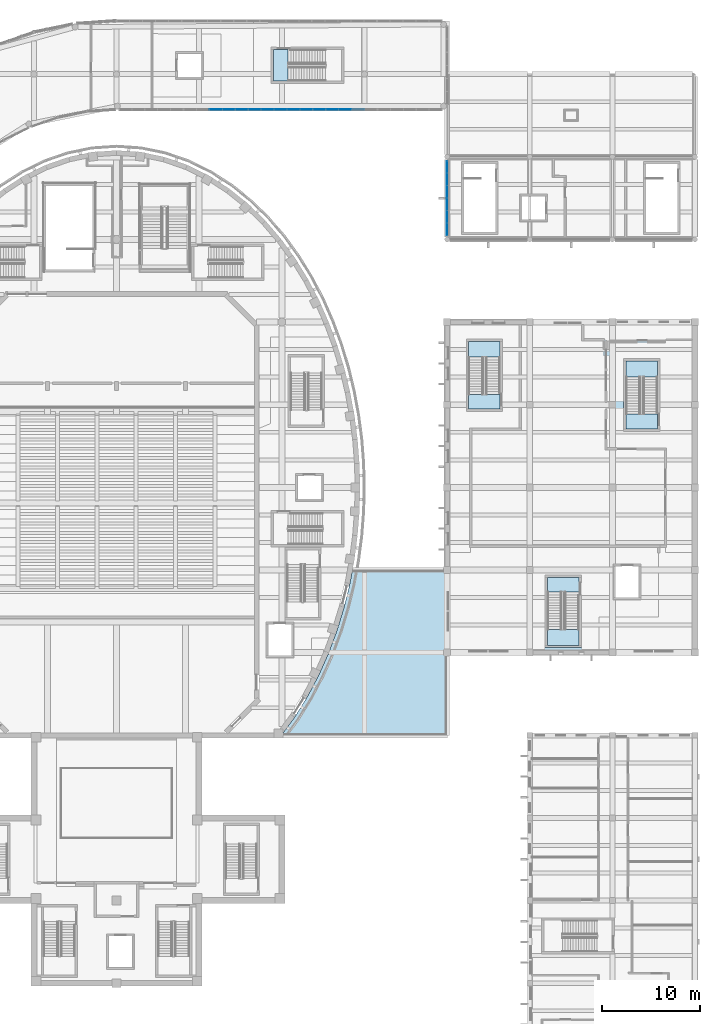
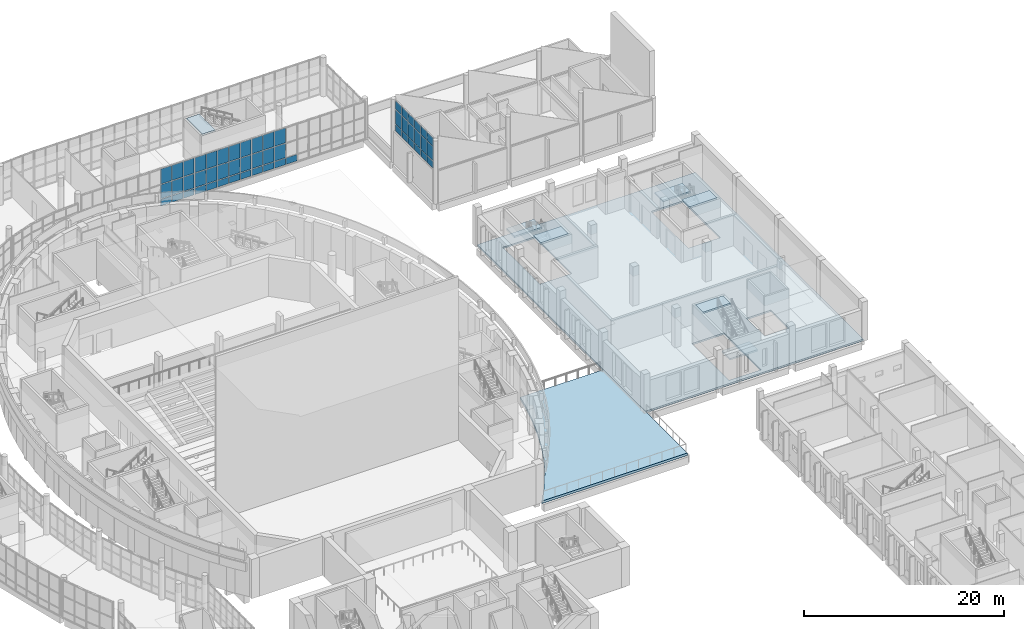
# One storey, part 53 of 119: 52 plates, 9 slabs, 8 elements without a shape of their own.
"""IFC4 building model written with IfcOpenShell, lengths in metres."""

from ifc_helpers import new_model, si_unit, direction, frame, origin, origin_2d, place, context, subcontext, project, spatial, polyline, rectangle, outline, extrude, material, layer, layer_set, type_object, element, aggregate, save


model = new_model("IFC4")

# Units and contexts
model_context = context("Model", 3, precision=1e-05, world=origin(), true_north=direction((0.0, 1.0)))
body_context = subcontext(model_context, "Body", "Model", "MODEL_VIEW")
ifc_project = project(units=[si_unit("LENGTHUNIT", "METRE"), si_unit("AREAUNIT", "SQUARE_METRE"), si_unit("VOLUMEUNIT", "CUBIC_METRE"), si_unit("PLANEANGLEUNIT", "RADIAN"), si_unit("MASSUNIT", "GRAM", prefix="KILO")], contexts=[model_context])

# Site, building, storey
site_placement = place(None, origin())
site = spatial("IfcSite", under=ifc_project, at=site_placement, CompositionType="ELEMENT")
building_placement = place(site_placement, origin())
building = spatial("IfcBuilding", under=site, at=building_placement, Name="Larchfold Concert Hall", CompositionType="ELEMENT")
storey_placement = place(building_placement, frame((0.0, 0.0, 4.800048828125)))
storey = spatial("IfcBuildingStorey", under=building, at=storey_placement, Name="L01", CompositionType="ELEMENT", Elevation=4.800048828125)

# Curtain wall, plates
ifc_material_1 = material(Name="Anodised graphite aluminium curtain wall", Category="aluminium")
ifc_layer_1 = layer(ifc_material_1, 0.10009765625)
ifc_layer_set_1 = layer_set([ifc_layer_1], Name="Anodised graphite aluminium curtain wall")
curtain_wall_type_1 = type_object("IfcCurtainWallType", Name="Curtain wall GL", PredefinedType="NOTDEFINED", material=ifc_layer_set_1)
curtain_wall_1_placement = place(storey_placement, origin())
curtain_wall_1 = element("IfcCurtainWall", 1, at=curtain_wall_1_placement, inside=storey, type_object=curtain_wall_type_1, Name="Curtain wall CW8001", PredefinedType="NOTDEFINED")
ifc_material_2 = material(Name="Insulated glazing unit, glass", Category="glass")
ifc_layer_2 = layer(ifc_material_2, 0.02587890625)
ifc_layer_set_2 = layer_set([ifc_layer_2], Name="Insulated glazing unit, glass")
plate_type_1 = type_object("IfcPlateType", Name="Glass panel 26", PredefinedType="CURTAIN_PANEL", material=ifc_layer_set_2)
plate_1_placement = place(storey_placement, frame((76.199951171875, 110.845703125, 4.830078125), z_axis=(0.0, 0.0, 1.0), x_axis=(0.0, 1.0, 0.0)))
plate_1 = element("IfcPlate", 2, at=plate_1_placement, type_object=plate_type_1, Name="CW8001 panel 1.2", PredefinedType="CURTAIN_PANEL", context=body_context, shape_type="SweptSolid", body=[
    extrude(rectangle(XDim=1.191650390625, YDim=0.02587890625, at=origin_2d()), origin(), (0.0, 0.0, 1.0), 1.73974609375),
])
plate_2_placement = place(storey_placement, frame((76.199951171875, 110.845703125, 6.6298828125), z_axis=(0.0, 0.0, 1.0), x_axis=(0.0, 1.0, 0.0)))
plate_2 = element("IfcPlate", 3, at=plate_2_placement, type_object=plate_type_1, Name="CW8001 panel 1.3", PredefinedType="CURTAIN_PANEL", context=body_context, shape_type="SweptSolid", body=[
    extrude(rectangle(XDim=1.191650390625, YDim=0.02587890625, at=origin_2d()), origin(), (0.0, 0.0, 1.0), 1.033935546875),
])
plate_3_placement = place(storey_placement, frame((76.199951171875, 112.10009765625, 4.830078125), z_axis=(0.0, 0.0, 1.0), x_axis=(0.0, 1.0, 0.0)))
plate_3 = element("IfcPlate", 4, at=plate_3_placement, type_object=plate_type_1, Name="CW8001 panel 2.2", PredefinedType="CURTAIN_PANEL", context=body_context, shape_type="SweptSolid", body=[
    extrude(rectangle(XDim=1.216796875, YDim=0.02587890625, at=origin_2d()), origin(), (0.0, 0.0, 1.0), 1.73974609375),
])
plate_4_placement = place(storey_placement, frame((76.199951171875, 112.10009765625, 6.6298828125), z_axis=(0.0, 0.0, 1.0), x_axis=(0.0, 1.0, 0.0)))
plate_4 = element("IfcPlate", 5, at=plate_4_placement, type_object=plate_type_1, Name="CW8001 panel 2.3", PredefinedType="CURTAIN_PANEL", context=body_context, shape_type="SweptSolid", body=[
    extrude(rectangle(XDim=1.216796875, YDim=0.02587890625, at=origin_2d()), origin(), (0.0, 0.0, 1.0), 1.033935546875),
])
plate_5_placement = place(storey_placement, frame((76.199951171875, 113.36669921875, 4.830078125), z_axis=(0.0, 0.0, 1.0), x_axis=(0.0, 1.0, 0.0)))
plate_5 = element("IfcPlate", 6, at=plate_5_placement, type_object=plate_type_1, Name="CW8001 panel 3.2", PredefinedType="CURTAIN_PANEL", context=body_context, shape_type="SweptSolid", body=[
    extrude(rectangle(XDim=1.216796875, YDim=0.02587890625, at=origin_2d()), origin(), (0.0, 0.0, 1.0), 1.73974609375),
])
plate_6_placement = place(storey_placement, frame((76.199951171875, 113.36669921875, 6.6298828125), z_axis=(0.0, 0.0, 1.0), x_axis=(0.0, 1.0, 0.0)))
plate_6 = element("IfcPlate", 7, at=plate_6_placement, type_object=plate_type_1, Name="CW8001 panel 3.3", PredefinedType="CURTAIN_PANEL", context=body_context, shape_type="SweptSolid", body=[
    extrude(rectangle(XDim=1.216796875, YDim=0.02587890625, at=origin_2d()), origin(), (0.0, 0.0, 1.0), 1.033935546875),
])
plate_7_placement = place(storey_placement, frame((76.199951171875, 114.63330078125, 4.830078125), z_axis=(0.0, 0.0, 1.0), x_axis=(0.0, 1.0, 0.0)))
plate_7 = element("IfcPlate", 8, at=plate_7_placement, type_object=plate_type_1, Name="CW8001 panel 4.2", PredefinedType="CURTAIN_PANEL", context=body_context, shape_type="SweptSolid", body=[
    extrude(rectangle(XDim=1.216796875, YDim=0.02587890625, at=origin_2d()), origin(), (0.0, 0.0, 1.0), 1.73974609375),
])
plate_8_placement = place(storey_placement, frame((76.199951171875, 114.63330078125, 6.6298828125), z_axis=(0.0, 0.0, 1.0), x_axis=(0.0, 1.0, 0.0)))
plate_8 = element("IfcPlate", 9, at=plate_8_placement, type_object=plate_type_1, Name="CW8001 panel 4.3", PredefinedType="CURTAIN_PANEL", context=body_context, shape_type="SweptSolid", body=[
    extrude(rectangle(XDim=1.216796875, YDim=0.02587890625, at=origin_2d()), origin(), (0.0, 0.0, 1.0), 1.033935546875),
])
plate_9_placement = place(storey_placement, frame((76.199951171875, 115.89990234375, 4.830078125), z_axis=(0.0, 0.0, 1.0), x_axis=(0.0, 1.0, 0.0)))
plate_9 = element("IfcPlate", 10, at=plate_9_placement, type_object=plate_type_1, Name="CW8001 panel 5.2", PredefinedType="CURTAIN_PANEL", context=body_context, shape_type="SweptSolid", body=[
    extrude(rectangle(XDim=1.216796875, YDim=0.02587890625, at=origin_2d()), origin(), (0.0, 0.0, 1.0), 1.73974609375),
])
plate_10_placement = place(storey_placement, frame((76.199951171875, 115.89990234375, 6.6298828125), z_axis=(0.0, 0.0, 1.0), x_axis=(0.0, 1.0, 0.0)))
plate_10 = element("IfcPlate", 11, at=plate_10_placement, type_object=plate_type_1, Name="CW8001 panel 5.3", PredefinedType="CURTAIN_PANEL", context=body_context, shape_type="SweptSolid", body=[
    extrude(rectangle(XDim=1.216796875, YDim=0.02587890625, at=origin_2d()), origin(), (0.0, 0.0, 1.0), 1.033935546875),
])
plate_11_placement = place(storey_placement, frame((76.199951171875, 117.154296875, 4.830078125), z_axis=(0.0, 0.0, 1.0), x_axis=(0.0, 1.0, 0.0)))
plate_11 = element("IfcPlate", 12, at=plate_11_placement, type_object=plate_type_1, Name="CW8001 panel 6.2", PredefinedType="CURTAIN_PANEL", context=body_context, shape_type="SweptSolid", body=[
    extrude(rectangle(XDim=1.191650390625, YDim=0.02587890625, at=origin_2d()), origin(), (0.0, 0.0, 1.0), 1.73974609375),
])
plate_12_placement = place(storey_placement, frame((76.199951171875, 117.154296875, 6.6298828125), z_axis=(0.0, 0.0, 1.0), x_axis=(0.0, 1.0, 0.0)))
plate_12 = element("IfcPlate", 13, at=plate_12_placement, type_object=plate_type_1, Name="CW8001 panel 6.3", PredefinedType="CURTAIN_PANEL", context=body_context, shape_type="SweptSolid", body=[
    extrude(rectangle(XDim=1.191650390625, YDim=0.02587890625, at=origin_2d()), origin(), (0.0, 0.0, 1.0), 1.033935546875),
])

ifc_material_3 = material(Name="Anodised graphite aluminium curtain wall", Category="aluminium")
ifc_layer_3 = layer(ifc_material_3, 0.14990234375)
ifc_layer_set_3 = layer_set([ifc_layer_3], Name="Anodised graphite aluminium curtain wall")
curtain_wall_type_2 = type_object("IfcCurtainWallType", Name="Curtain wall WG", PredefinedType="NOTDEFINED", material=ifc_layer_set_3)
curtain_wall_2_placement = place(storey_placement, origin())
curtain_wall_2 = element("IfcCurtainWall", 14, at=curtain_wall_2_placement, inside=storey, type_object=curtain_wall_type_2, Name="Curtain wall CW0167", PredefinedType="NOTDEFINED")
ifc_material_4 = material(Name="Insulated glazing unit, glass", Category="glass")
ifc_layer_4 = layer(ifc_material_4, 0.028076171875)
ifc_layer_set_4 = layer_set([ifc_layer_4], Name="Insulated glazing unit, glass")
plate_type_2 = type_object("IfcPlateType", Name="Glass panel 28", PredefinedType="CURTAIN_PANEL", material=ifc_layer_set_4)
plate_13_placement = place(storey_placement, frame((52.69677734375, 123.0, 0.93994140625), z_axis=(0.0, 0.0, 1.0), x_axis=(1.0, 0.0, 0.0)))
plate_13 = element("IfcPlate", 15, at=plate_13_placement, type_object=plate_type_2, Name="CW0167 panel 3.2", PredefinedType="CURTAIN_PANEL", context=body_context, shape_type="SweptSolid", body=[
    extrude(rectangle(XDim=1.25390625, YDim=0.028076171875, at=origin_2d()), origin(), (0.0, 0.0, 1.0), 1.719970703125),
])
plate_14_placement = place(storey_placement, frame((52.69677734375, 123.0, 2.740234375), z_axis=(0.0, 0.0, 1.0), x_axis=(1.0, 0.0, 0.0)))
plate_14 = element("IfcPlate", 16, at=plate_14_placement, type_object=plate_type_2, Name="CW0167 panel 3.3", PredefinedType="CURTAIN_PANEL", context=body_context, shape_type="SweptSolid", body=[
    extrude(rectangle(XDim=1.25390625, YDim=0.028076171875, at=origin_2d()), origin(), (0.0, 0.0, 1.0), 1.829833984375),
])
plate_15_placement = place(storey_placement, frame((54.010986328125, 123.0, 0.93994140625), z_axis=(0.0, 0.0, 1.0), x_axis=(1.0, 0.0, 0.0)))
plate_15 = element("IfcPlate", 17, at=plate_15_placement, type_object=plate_type_2, Name="CW0167 panel 4.2", PredefinedType="CURTAIN_PANEL", context=body_context, shape_type="SweptSolid", body=[
    extrude(rectangle(XDim=1.25390625, YDim=0.028076171875, at=origin_2d()), origin(), (0.0, 0.0, 1.0), 1.719970703125),
])
plate_16_placement = place(storey_placement, frame((54.010986328125, 123.0, 2.740234375), z_axis=(0.0, 0.0, 1.0), x_axis=(1.0, 0.0, 0.0)))
plate_16 = element("IfcPlate", 18, at=plate_16_placement, type_object=plate_type_2, Name="CW0167 panel 4.3", PredefinedType="CURTAIN_PANEL", context=body_context, shape_type="SweptSolid", body=[
    extrude(rectangle(XDim=1.25390625, YDim=0.028076171875, at=origin_2d()), origin(), (0.0, 0.0, 1.0), 1.829833984375),
])
plate_17_placement = place(storey_placement, frame((55.309814453125, 123.0, 0.93994140625), z_axis=(0.0, 0.0, 1.0), x_axis=(1.0, 0.0, 0.0)))
plate_17 = element("IfcPlate", 19, at=plate_17_placement, type_object=plate_type_2, Name="CW0167 panel 5.2", PredefinedType="CURTAIN_PANEL", context=body_context, shape_type="SweptSolid", body=[
    extrude(rectangle(XDim=1.22412109375, YDim=0.028076171875, at=origin_2d()), origin(), (0.0, 0.0, 1.0), 1.719970703125),
])
plate_18_placement = place(storey_placement, frame((55.309814453125, 123.0, 2.740234375), z_axis=(0.0, 0.0, 1.0), x_axis=(1.0, 0.0, 0.0)))
plate_18 = element("IfcPlate", 20, at=plate_18_placement, type_object=plate_type_2, Name="CW0167 panel 5.3", PredefinedType="CURTAIN_PANEL", context=body_context, shape_type="SweptSolid", body=[
    extrude(rectangle(XDim=1.22412109375, YDim=0.028076171875, at=origin_2d()), origin(), (0.0, 0.0, 1.0), 1.829833984375),
])

curtain_wall_3_placement = place(storey_placement, origin())
curtain_wall_3 = element("IfcCurtainWall", 21, at=curtain_wall_3_placement, inside=storey, type_object=curtain_wall_type_2, Name="Curtain wall CW0168", PredefinedType="NOTDEFINED")
plate_19_placement = place(storey_placement, frame((56.654052734375, 123.0, 0.93994140625), z_axis=(0.0, 0.0, 1.0), x_axis=(1.0, 0.0, 0.0)))
plate_19 = element("IfcPlate", 22, at=plate_19_placement, type_object=plate_type_2, Name="CW0168 panel 1.2", PredefinedType="CURTAIN_PANEL", context=body_context, shape_type="SweptSolid", body=[
    extrude(rectangle(XDim=1.22412109375, YDim=0.028076171875, at=origin_2d()), origin(), (0.0, 0.0, 1.0), 1.719970703125),
])
plate_20_placement = place(storey_placement, frame((56.654052734375, 123.0, 2.740234375), z_axis=(0.0, 0.0, 1.0), x_axis=(1.0, 0.0, 0.0)))
plate_20 = element("IfcPlate", 23, at=plate_20_placement, type_object=plate_type_2, Name="CW0168 panel 1.3", PredefinedType="CURTAIN_PANEL", context=body_context, shape_type="SweptSolid", body=[
    extrude(rectangle(XDim=1.22412109375, YDim=0.028076171875, at=origin_2d()), origin(), (0.0, 0.0, 1.0), 1.829833984375),
])
plate_21_placement = place(storey_placement, frame((57.953125, 123.0, 0.93994140625), z_axis=(0.0, 0.0, 1.0), x_axis=(1.0, 0.0, 0.0)))
plate_21 = element("IfcPlate", 24, at=plate_21_placement, type_object=plate_type_2, Name="CW0168 panel 2.2", PredefinedType="CURTAIN_PANEL", context=body_context, shape_type="SweptSolid", body=[
    extrude(rectangle(XDim=1.254150390625, YDim=0.028076171875, at=origin_2d()), origin(), (0.0, 0.0, 1.0), 1.719970703125),
])
plate_22_placement = place(storey_placement, frame((57.953125, 123.0, 2.740234375), z_axis=(0.0, 0.0, 1.0), x_axis=(1.0, 0.0, 0.0)))
plate_22 = element("IfcPlate", 25, at=plate_22_placement, type_object=plate_type_2, Name="CW0168 panel 2.3", PredefinedType="CURTAIN_PANEL", context=body_context, shape_type="SweptSolid", body=[
    extrude(rectangle(XDim=1.254150390625, YDim=0.028076171875, at=origin_2d()), origin(), (0.0, 0.0, 1.0), 1.829833984375),
])
plate_23_placement = place(storey_placement, frame((59.26708984375, 123.0, 0.93994140625), z_axis=(0.0, 0.0, 1.0), x_axis=(1.0, 0.0, 0.0)))
plate_23 = element("IfcPlate", 26, at=plate_23_placement, type_object=plate_type_2, Name="CW0168 panel 3.2", PredefinedType="CURTAIN_PANEL", context=body_context, shape_type="SweptSolid", body=[
    extrude(rectangle(XDim=1.254150390625, YDim=0.028076171875, at=origin_2d()), origin(), (0.0, 0.0, 1.0), 1.719970703125),
])
plate_24_placement = place(storey_placement, frame((59.26708984375, 123.0, 2.740234375), z_axis=(0.0, 0.0, 1.0), x_axis=(1.0, 0.0, 0.0)))
plate_24 = element("IfcPlate", 27, at=plate_24_placement, type_object=plate_type_2, Name="CW0168 panel 3.3", PredefinedType="CURTAIN_PANEL", context=body_context, shape_type="SweptSolid", body=[
    extrude(rectangle(XDim=1.254150390625, YDim=0.028076171875, at=origin_2d()), origin(), (0.0, 0.0, 1.0), 1.829833984375),
])
plate_25_placement = place(storey_placement, frame((60.5810546875, 123.0, 0.93994140625), z_axis=(0.0, 0.0, 1.0), x_axis=(1.0, 0.0, 0.0)))
plate_25 = element("IfcPlate", 28, at=plate_25_placement, type_object=plate_type_2, Name="CW0168 panel 4.2", PredefinedType="CURTAIN_PANEL", context=body_context, shape_type="SweptSolid", body=[
    extrude(rectangle(XDim=1.254150390625, YDim=0.028076171875, at=origin_2d()), origin(), (0.0, 0.0, 1.0), 1.719970703125),
])
plate_26_placement = place(storey_placement, frame((60.5810546875, 123.0, 2.740234375), z_axis=(0.0, 0.0, 1.0), x_axis=(1.0, 0.0, 0.0)))
plate_26 = element("IfcPlate", 29, at=plate_26_placement, type_object=plate_type_2, Name="CW0168 panel 4.3", PredefinedType="CURTAIN_PANEL", context=body_context, shape_type="SweptSolid", body=[
    extrude(rectangle(XDim=1.254150390625, YDim=0.028076171875, at=origin_2d()), origin(), (0.0, 0.0, 1.0), 1.829833984375),
])
plate_27_placement = place(storey_placement, frame((61.880126953125, 123.0, 0.93994140625), z_axis=(0.0, 0.0, 1.0), x_axis=(1.0, 0.0, 0.0)))
plate_27 = element("IfcPlate", 30, at=plate_27_placement, type_object=plate_type_2, Name="CW0168 panel 5.2", PredefinedType="CURTAIN_PANEL", context=body_context, shape_type="SweptSolid", body=[
    extrude(rectangle(XDim=1.22412109375, YDim=0.028076171875, at=origin_2d()), origin(), (0.0, 0.0, 1.0), 1.719970703125),
])
plate_28_placement = place(storey_placement, frame((61.880126953125, 123.0, 2.740234375), z_axis=(0.0, 0.0, 1.0), x_axis=(1.0, 0.0, 0.0)))
plate_28 = element("IfcPlate", 31, at=plate_28_placement, type_object=plate_type_2, Name="CW0168 panel 5.3", PredefinedType="CURTAIN_PANEL", context=body_context, shape_type="SweptSolid", body=[
    extrude(rectangle(XDim=1.22412109375, YDim=0.028076171875, at=origin_2d()), origin(), (0.0, 0.0, 1.0), 1.829833984375),
])

curtain_wall_4_placement = place(storey_placement, origin())
curtain_wall_4 = element("IfcCurtainWall", 32, at=curtain_wall_4_placement, inside=storey, type_object=curtain_wall_type_2, Name="Curtain wall CW0169", PredefinedType="NOTDEFINED")
plate_29_placement = place(storey_placement, frame((63.224365234375, 123.0, 0.93994140625), z_axis=(0.0, 0.0, 1.0), x_axis=(1.0, 0.0, 0.0)))
plate_29 = element("IfcPlate", 33, at=plate_29_placement, type_object=plate_type_2, Name="CW0169 panel 1.2", PredefinedType="CURTAIN_PANEL", context=body_context, shape_type="SweptSolid", body=[
    extrude(rectangle(XDim=1.22412109375, YDim=0.028076171875, at=origin_2d()), origin(), (0.0, 0.0, 1.0), 1.719970703125),
])
plate_30_placement = place(storey_placement, frame((63.224365234375, 123.0, 2.740234375), z_axis=(0.0, 0.0, 1.0), x_axis=(1.0, 0.0, 0.0)))
plate_30 = element("IfcPlate", 34, at=plate_30_placement, type_object=plate_type_2, Name="CW0169 panel 1.3", PredefinedType="CURTAIN_PANEL", context=body_context, shape_type="SweptSolid", body=[
    extrude(rectangle(XDim=1.22412109375, YDim=0.028076171875, at=origin_2d()), origin(), (0.0, 0.0, 1.0), 1.829833984375),
])
plate_31_placement = place(storey_placement, frame((64.523193359375, 123.0, 0.93994140625), z_axis=(0.0, 0.0, 1.0), x_axis=(1.0, 0.0, 0.0)))
plate_31 = element("IfcPlate", 35, at=plate_31_placement, type_object=plate_type_2, Name="CW0169 panel 2.2", PredefinedType="CURTAIN_PANEL", context=body_context, shape_type="SweptSolid", body=[
    extrude(rectangle(XDim=1.25390625, YDim=0.028076171875, at=origin_2d()), origin(), (0.0, 0.0, 1.0), 1.719970703125),
])
plate_32_placement = place(storey_placement, frame((64.523193359375, 123.0, 2.740234375), z_axis=(0.0, 0.0, 1.0), x_axis=(1.0, 0.0, 0.0)))
plate_32 = element("IfcPlate", 36, at=plate_32_placement, type_object=plate_type_2, Name="CW0169 panel 2.3", PredefinedType="CURTAIN_PANEL", context=body_context, shape_type="SweptSolid", body=[
    extrude(rectangle(XDim=1.25390625, YDim=0.028076171875, at=origin_2d()), origin(), (0.0, 0.0, 1.0), 1.829833984375),
])
plate_33_placement = place(storey_placement, frame((65.837158203125, 123.0, 0.93994140625), z_axis=(0.0, 0.0, 1.0), x_axis=(1.0, 0.0, 0.0)))
plate_33 = element("IfcPlate", 37, at=plate_33_placement, type_object=plate_type_2, Name="CW0169 panel 3.2", PredefinedType="CURTAIN_PANEL", context=body_context, shape_type="SweptSolid", body=[
    extrude(rectangle(XDim=1.25390625, YDim=0.028076171875, at=origin_2d()), origin(), (0.0, 0.0, 1.0), 1.719970703125),
])
plate_34_placement = place(storey_placement, frame((65.837158203125, 123.0, 2.740234375), z_axis=(0.0, 0.0, 1.0), x_axis=(1.0, 0.0, 0.0)))
plate_34 = element("IfcPlate", 38, at=plate_34_placement, type_object=plate_type_2, Name="CW0169 panel 3.3", PredefinedType="CURTAIN_PANEL", context=body_context, shape_type="SweptSolid", body=[
    extrude(rectangle(XDim=1.25390625, YDim=0.028076171875, at=origin_2d()), origin(), (0.0, 0.0, 1.0), 1.829833984375),
])

# Plate
ifc_material_5 = material(Name="White insulated panel")
ifc_layer_5 = layer(ifc_material_5, 0.044921875)
ifc_layer_set_5 = layer_set([ifc_layer_5], Name="White insulated panel")
plate_type_3 = type_object("IfcPlateType", Name="Insulated spandrel panel 45", PredefinedType="CURTAIN_PANEL", material=ifc_layer_set_5)
plate_35_placement = place(storey_placement, frame((76.199951171875, 110.845703125, 3.9599609375), z_axis=(0.0, 0.0, 1.0), x_axis=(0.0, 1.0, 0.0)))
plate_35 = element("IfcPlate", 39, at=plate_35_placement, type_object=plate_type_3, Name="CW8001 panel 1.1", PredefinedType="CURTAIN_PANEL", context=body_context, shape_type="SweptSolid", body=[
    extrude(rectangle(XDim=1.191650390625, YDim=0.044921875, at=origin_2d()), origin(), (0.0, 0.0, 1.0), 0.81005859375),
])

plate_36_placement = place(storey_placement, frame((76.199951171875, 112.10009765625, 3.9599609375), z_axis=(0.0, 0.0, 1.0), x_axis=(0.0, 1.0, 0.0)))
plate_36 = element("IfcPlate", 40, at=plate_36_placement, type_object=plate_type_3, Name="CW8001 panel 2.1", PredefinedType="CURTAIN_PANEL", context=body_context, shape_type="SweptSolid", body=[
    extrude(rectangle(XDim=1.216796875, YDim=0.044921875, at=origin_2d()), origin(), (0.0, 0.0, 1.0), 0.81005859375),
])

plate_37_placement = place(storey_placement, frame((76.199951171875, 113.36669921875, 3.9599609375), z_axis=(0.0, 0.0, 1.0), x_axis=(0.0, 1.0, 0.0)))
plate_37 = element("IfcPlate", 41, at=plate_37_placement, type_object=plate_type_3, Name="CW8001 panel 3.1", PredefinedType="CURTAIN_PANEL", context=body_context, shape_type="SweptSolid", body=[
    extrude(rectangle(XDim=1.216796875, YDim=0.044921875, at=origin_2d()), origin(), (0.0, 0.0, 1.0), 0.81005859375),
])

plate_38_placement = place(storey_placement, frame((76.199951171875, 114.63330078125, 3.9599609375), z_axis=(0.0, 0.0, 1.0), x_axis=(0.0, 1.0, 0.0)))
plate_38 = element("IfcPlate", 42, at=plate_38_placement, type_object=plate_type_3, Name="CW8001 panel 4.1", PredefinedType="CURTAIN_PANEL", context=body_context, shape_type="SweptSolid", body=[
    extrude(rectangle(XDim=1.216796875, YDim=0.044921875, at=origin_2d()), origin(), (0.0, 0.0, 1.0), 0.81005859375),
])

plate_39_placement = place(storey_placement, frame((76.199951171875, 115.89990234375, 3.9599609375), z_axis=(0.0, 0.0, 1.0), x_axis=(0.0, 1.0, 0.0)))
plate_39 = element("IfcPlate", 43, at=plate_39_placement, type_object=plate_type_3, Name="CW8001 panel 5.1", PredefinedType="CURTAIN_PANEL", context=body_context, shape_type="SweptSolid", body=[
    extrude(rectangle(XDim=1.216796875, YDim=0.044921875, at=origin_2d()), origin(), (0.0, 0.0, 1.0), 0.81005859375),
])

plate_40_placement = place(storey_placement, frame((76.199951171875, 117.154296875, 3.9599609375), z_axis=(0.0, 0.0, 1.0), x_axis=(0.0, 1.0, 0.0)))
plate_40 = element("IfcPlate", 44, at=plate_40_placement, type_object=plate_type_3, Name="CW8001 panel 6.1", PredefinedType="CURTAIN_PANEL", context=body_context, shape_type="SweptSolid", body=[
    extrude(rectangle(XDim=1.191650390625, YDim=0.044921875, at=origin_2d()), origin(), (0.0, 0.0, 1.0), 0.81005859375),
])

aggregate(curtain_wall_1, [plate_35, plate_1, plate_2, plate_36, plate_3, plate_4, plate_37, plate_5, plate_6, plate_38, plate_7, plate_8, plate_39, plate_9, plate_10, plate_40, plate_11, plate_12])

ifc_material_6 = material(Name="White insulated panel")
ifc_layer_6 = layer(ifc_material_6, 0.06005859375)
ifc_layer_set_6 = layer_set([ifc_layer_6], Name="White insulated panel")
plate_type_4 = type_object("IfcPlateType", Name="Insulated spandrel panel 60", PredefinedType="CURTAIN_PANEL", material=ifc_layer_set_6)
plate_41_placement = place(storey_placement, frame((52.69677734375, 123.0, 0.080078125), z_axis=(0.0, 0.0, 1.0), x_axis=(1.0, 0.0, 0.0)))
plate_41 = element("IfcPlate", 45, at=plate_41_placement, type_object=plate_type_4, Name="CW0167 panel 3.1", PredefinedType="CURTAIN_PANEL", context=body_context, shape_type="SweptSolid", body=[
    extrude(rectangle(XDim=1.25390625, YDim=0.06005859375, at=origin_2d()), origin(), (0.0, 0.0, 1.0), 0.77978515625),
])

plate_42_placement = place(storey_placement, frame((54.010986328125, 123.0, 0.080078125), z_axis=(0.0, 0.0, 1.0), x_axis=(1.0, 0.0, 0.0)))
plate_42 = element("IfcPlate", 46, at=plate_42_placement, type_object=plate_type_4, Name="CW0167 panel 4.1", PredefinedType="CURTAIN_PANEL", context=body_context, shape_type="SweptSolid", body=[
    extrude(rectangle(XDim=1.25390625, YDim=0.06005859375, at=origin_2d()), origin(), (0.0, 0.0, 1.0), 0.77978515625),
])

plate_43_placement = place(storey_placement, frame((55.309814453125, 123.0, 0.080078125), z_axis=(0.0, 0.0, 1.0), x_axis=(1.0, 0.0, 0.0)))
plate_43 = element("IfcPlate", 47, at=plate_43_placement, type_object=plate_type_4, Name="CW0167 panel 5.1", PredefinedType="CURTAIN_PANEL", context=body_context, shape_type="SweptSolid", body=[
    extrude(rectangle(XDim=1.22412109375, YDim=0.06005859375, at=origin_2d()), origin(), (0.0, 0.0, 1.0), 0.77978515625),
])

aggregate(curtain_wall_2, [plate_41, plate_13, plate_14, plate_42, plate_15, plate_16, plate_43, plate_17, plate_18])

plate_44_placement = place(storey_placement, frame((56.654052734375, 123.0, 0.080078125), z_axis=(0.0, 0.0, 1.0), x_axis=(1.0, 0.0, 0.0)))
plate_44 = element("IfcPlate", 48, at=plate_44_placement, type_object=plate_type_4, Name="CW0168 panel 1.1", PredefinedType="CURTAIN_PANEL", context=body_context, shape_type="SweptSolid", body=[
    extrude(rectangle(XDim=1.22412109375, YDim=0.06005859375, at=origin_2d()), origin(), (0.0, 0.0, 1.0), 0.77978515625),
])

plate_45_placement = place(storey_placement, frame((57.953125, 123.0, 0.080078125), z_axis=(0.0, 0.0, 1.0), x_axis=(1.0, 0.0, 0.0)))
plate_45 = element("IfcPlate", 49, at=plate_45_placement, type_object=plate_type_4, Name="CW0168 panel 2.1", PredefinedType="CURTAIN_PANEL", context=body_context, shape_type="SweptSolid", body=[
    extrude(rectangle(XDim=1.254150390625, YDim=0.06005859375, at=origin_2d()), origin(), (0.0, 0.0, 1.0), 0.77978515625),
])

plate_46_placement = place(storey_placement, frame((59.26708984375, 123.0, 0.080078125), z_axis=(0.0, 0.0, 1.0), x_axis=(1.0, 0.0, 0.0)))
plate_46 = element("IfcPlate", 50, at=plate_46_placement, type_object=plate_type_4, Name="CW0168 panel 3.1", PredefinedType="CURTAIN_PANEL", context=body_context, shape_type="SweptSolid", body=[
    extrude(rectangle(XDim=1.254150390625, YDim=0.06005859375, at=origin_2d()), origin(), (0.0, 0.0, 1.0), 0.77978515625),
])

plate_47_placement = place(storey_placement, frame((60.5810546875, 123.0, 0.080078125), z_axis=(0.0, 0.0, 1.0), x_axis=(1.0, 0.0, 0.0)))
plate_47 = element("IfcPlate", 51, at=plate_47_placement, type_object=plate_type_4, Name="CW0168 panel 4.1", PredefinedType="CURTAIN_PANEL", context=body_context, shape_type="SweptSolid", body=[
    extrude(rectangle(XDim=1.254150390625, YDim=0.06005859375, at=origin_2d()), origin(), (0.0, 0.0, 1.0), 0.77978515625),
])

plate_48_placement = place(storey_placement, frame((61.880126953125, 123.0, 0.080078125), z_axis=(0.0, 0.0, 1.0), x_axis=(1.0, 0.0, 0.0)))
plate_48 = element("IfcPlate", 52, at=plate_48_placement, type_object=plate_type_4, Name="CW0168 panel 5.1", PredefinedType="CURTAIN_PANEL", context=body_context, shape_type="SweptSolid", body=[
    extrude(rectangle(XDim=1.22412109375, YDim=0.06005859375, at=origin_2d()), origin(), (0.0, 0.0, 1.0), 0.77978515625),
])

aggregate(curtain_wall_3, [plate_44, plate_19, plate_20, plate_45, plate_21, plate_22, plate_46, plate_23, plate_24, plate_47, plate_25, plate_26, plate_48, plate_27, plate_28])

plate_49_placement = place(storey_placement, frame((63.224365234375, 123.0, 0.080078125), z_axis=(0.0, 0.0, 1.0), x_axis=(1.0, 0.0, 0.0)))
plate_49 = element("IfcPlate", 53, at=plate_49_placement, type_object=plate_type_4, Name="CW0169 panel 1.1", PredefinedType="CURTAIN_PANEL", context=body_context, shape_type="SweptSolid", body=[
    extrude(rectangle(XDim=1.22412109375, YDim=0.06005859375, at=origin_2d()), origin(), (0.0, 0.0, 1.0), 0.77978515625),
])

plate_50_placement = place(storey_placement, frame((64.523193359375, 123.0, 0.080078125), z_axis=(0.0, 0.0, 1.0), x_axis=(1.0, 0.0, 0.0)))
plate_50 = element("IfcPlate", 54, at=plate_50_placement, type_object=plate_type_4, Name="CW0169 panel 2.1", PredefinedType="CURTAIN_PANEL", context=body_context, shape_type="SweptSolid", body=[
    extrude(rectangle(XDim=1.25390625, YDim=0.06005859375, at=origin_2d()), origin(), (0.0, 0.0, 1.0), 0.77978515625),
])

plate_51_placement = place(storey_placement, frame((65.837158203125, 123.0, 0.080078125), z_axis=(0.0, 0.0, 1.0), x_axis=(1.0, 0.0, 0.0)))
plate_51 = element("IfcPlate", 55, at=plate_51_placement, type_object=plate_type_4, Name="CW0169 panel 3.1", PredefinedType="CURTAIN_PANEL", context=body_context, shape_type="SweptSolid", body=[
    extrude(rectangle(XDim=1.25390625, YDim=0.06005859375, at=origin_2d()), origin(), (0.0, 0.0, 1.0), 0.77978515625),
])

plate_52_placement = place(storey_placement, frame((67.1513671875, 123.0, 0.080078125), z_axis=(0.0, 0.0, 1.0), x_axis=(1.0, 0.0, 0.0)))
plate_52 = element("IfcPlate", 56, at=plate_52_placement, type_object=plate_type_4, Name="CW0169 panel 4.1", PredefinedType="CURTAIN_PANEL", context=body_context, shape_type="SweptSolid", body=[
    extrude(rectangle(XDim=1.25390625, YDim=0.06005859375, at=origin_2d()), origin(), (0.0, 0.0, 1.0), 0.77978515625),
])

aggregate(curtain_wall_4, [plate_49, plate_29, plate_30, plate_50, plate_31, plate_32, plate_51, plate_33, plate_34, plate_52])

# Slabs
ifc_material_7 = material(Name="Concrete C35/45", Category="concrete")
ifc_layer_7 = layer(ifc_material_7, 0.199951171875)
ifc_layer_set_7 = layer_set([ifc_layer_7], Name="Concrete C35/45")
slab_type_1 = type_object("IfcSlabType", Name="Slab 200", PredefinedType="FLOOR", material=ifc_layer_set_7)
slab_1_placement = place(storey_placement, frame((0.0, 0.0, -0.2001953125)))
element("IfcSlab", 57, at=slab_1_placement, inside=storey, type_object=slab_type_1, Name="Slab S0003", PredefinedType="FLOOR", context=body_context, shape_type="SweptSolid", body=[
    extrude(outline(polyline([(76.199951171875, 67.800048828125), (101.39990234375, 67.800048828125), (101.39990234375, 101.39990234375), (76.199951171875, 101.39990234375), (76.199951171875, 67.800048828125)]), holes=[polyline([(86.14990234375, 68.300048828125), (86.14990234375, 75.699951171875), (89.85009765625, 75.699951171875), (89.85009765625, 68.300048828125), (86.14990234375, 68.300048828125)]), polyline([(93.10009765625, 73.199951171875), (93.10009765625, 76.800048828125), (95.89990234375, 76.800048828125), (95.89990234375, 73.199951171875), (93.10009765625, 73.199951171875)]), polyline([(94.14990234375, 90.300048828125), (94.14990234375, 97.699951171875), (97.85009765625, 97.699951171875), (97.85009765625, 90.300048828125), (94.14990234375, 90.300048828125)]), polyline([(78.14990234375, 92.300048828125), (78.14990234375, 99.699951171875), (81.85009765625, 99.699951171875), (81.85009765625, 92.300048828125), (78.14990234375, 92.300048828125)])]), origin(), (0.0, 0.0, 1.0), 0.2001953125),
])
ifc_material_8 = material(Name="Concrete C35/45", Category="concrete")
ifc_layer_8 = layer(ifc_material_8, 0.300048828125)
ifc_layer_set_8 = layer_set([ifc_layer_8], Name="Concrete C35/45")
slab_type_2 = type_object("IfcSlabType", Name="Slab 300 transfer deck", PredefinedType="FLOOR", material=ifc_layer_set_8)
slab_2_placement = place(storey_placement, frame((0.0, 0.0, -0.300048828125)))
element("IfcSlab", 58, at=slab_2_placement, inside=storey, type_object=slab_type_2, Name="Slab S0009", PredefinedType="FLOOR", context=body_context, shape_type="SweptSolid", body=[
    extrude(outline(polyline([(76.199951171875, 76.199951171875), (66.578125, 76.199951171875), (66.32080078125, 74.822021484375), (65.736083984375, 72.429443359375), (65.015380859375, 70.07373046875), (64.15576171875, 67.764404296875), (63.1533203125, 65.512451171875), (62.0029296875, 63.3310546875), (60.700927734375, 61.235595703125), (59.39990234375, 59.458740234375), (59.39990234375, 59.39990234375), (76.199951171875, 59.39990234375), (76.199951171875, 76.199951171875)])), origin(), (0.0, 0.0, 1.0), 0.300048828125),
])

# Stair, slabs
ifc_material_9 = material(Name="Concrete C35/45", Category="concrete")
stair_type = type_object("IfcStairType", Name="Stair RC half-turn enclosed", PredefinedType="HALF_TURN_STAIR", material=ifc_material_9)
stair_1_placement = place(storey_placement, origin())
stair_1 = element("IfcStair", 59, at=stair_1_placement, inside=storey, type_object=stair_type, Name="Stair CH1", PredefinedType="HALF_TURN_STAIR")
ifc_material_10 = material(Name="Concrete C35/45", Category="concrete")
ifc_layer_9 = layer(ifc_material_10, 0.199951171875)
ifc_layer_set_9 = layer_set([ifc_layer_9], Name="Concrete C35/45")
slab_type_3 = type_object("IfcSlabType", Name="Stair landing RC 200", PredefinedType="LANDING", material=ifc_layer_set_9)
slab_3_placement = place(storey_placement, frame((0.0, 0.0, 2.199951171875)))
slab_3 = element("IfcSlab", 60, at=slab_3_placement, type_object=slab_type_3, Name="ST16 landing 1", PredefinedType="LANDING", context=body_context, shape_type="SweptSolid", body=[
    extrude(outline(polyline([(86.39990234375, 70.169921875), (86.39990234375, 68.550048828125), (89.599853515625, 68.550048828125), (89.599853515625, 70.169921875), (86.39990234375, 70.169921875)])), origin(), (0.0, 0.0, 1.0), 0.199951171875),
])
slab_4_placement = place(storey_placement, frame((0.0, 0.0, 4.599853515625)))
slab_4 = element("IfcSlab", 61, at=slab_4_placement, type_object=slab_type_3, Name="ST16 landing 2", PredefinedType="LANDING", context=body_context, shape_type="SweptSolid", body=[
    extrude(outline(polyline([(86.39990234375, 75.449951171875), (86.39990234375, 73.949951171875), (89.60009765625, 73.949951171875), (89.60009765625, 75.449951171875), (86.39990234375, 75.449951171875)])), origin(), (0.0, 0.0, 1.0), 0.2001953125),
])
aggregate(stair_1, [slab_3, slab_4])

stair_2_placement = place(storey_placement, origin())
stair_2 = element("IfcStair", 62, at=stair_2_placement, inside=storey, type_object=stair_type, Name="Stair CH2", PredefinedType="HALF_TURN_STAIR")
slab_5_placement = place(storey_placement, frame((0.0, 0.0, 2.199951171875)))
slab_5 = element("IfcSlab", 63, at=slab_5_placement, type_object=slab_type_3, Name="ST17 landing 1", PredefinedType="LANDING", context=body_context, shape_type="SweptSolid", body=[
    extrude(outline(polyline([(81.60009765625, 97.830078125), (81.60009765625, 99.449951171875), (78.400146484375, 99.449951171875), (78.400146484375, 97.830078125), (81.60009765625, 97.830078125)])), origin(), (0.0, 0.0, 1.0), 0.199951171875),
])
slab_6_placement = place(storey_placement, frame((0.0, 0.0, 4.599853515625)))
slab_6 = element("IfcSlab", 64, at=slab_6_placement, type_object=slab_type_3, Name="ST17 landing 2", PredefinedType="LANDING", context=body_context, shape_type="SweptSolid", body=[
    extrude(outline(polyline([(81.60009765625, 92.550048828125), (81.60009765625, 94.050048828125), (78.39990234375, 94.050048828125), (78.39990234375, 92.550048828125), (81.60009765625, 92.550048828125)])), origin(), (0.0, 0.0, 1.0), 0.2001953125),
])
aggregate(stair_2, [slab_5, slab_6])

stair_3_placement = place(storey_placement, origin())
stair_3 = element("IfcStair", 65, at=stair_3_placement, inside=storey, type_object=stair_type, Name="Stair CH3", PredefinedType="HALF_TURN_STAIR")
slab_7_placement = place(storey_placement, frame((0.0, 0.0, 2.199951171875)))
slab_7 = element("IfcSlab", 66, at=slab_7_placement, type_object=slab_type_3, Name="ST18 landing 1", PredefinedType="LANDING", context=body_context, shape_type="SweptSolid", body=[
    extrude(outline(polyline([(97.60009765625, 95.830078125), (97.60009765625, 97.449951171875), (94.400146484375, 97.449951171875), (94.400146484375, 95.830078125), (97.60009765625, 95.830078125)])), origin(), (0.0, 0.0, 1.0), 0.199951171875),
])
slab_8_placement = place(storey_placement, frame((0.0, 0.0, 4.599853515625)))
slab_8 = element("IfcSlab", 67, at=slab_8_placement, type_object=slab_type_3, Name="ST18 landing 2", PredefinedType="LANDING", context=body_context, shape_type="SweptSolid", body=[
    extrude(outline(polyline([(97.60009765625, 90.550048828125), (97.60009765625, 92.050048828125), (94.39990234375, 92.050048828125), (94.39990234375, 90.550048828125), (97.60009765625, 90.550048828125)])), origin(), (0.0, 0.0, 1.0), 0.2001953125),
])
aggregate(stair_3, [slab_7, slab_8])

# Stair, slab
stair_4_placement = place(storey_placement, origin())
stair_4 = element("IfcStair", 68, at=stair_4_placement, inside=storey, type_object=stair_type, Name="Stair WG4", PredefinedType="HALF_TURN_STAIR")
slab_9_placement = place(storey_placement, frame((0.0, 0.0, 4.599853515625)))
slab_9 = element("IfcSlab", 69, at=slab_9_placement, type_object=slab_type_3, Name="ST26 landing 2", PredefinedType="LANDING", context=body_context, shape_type="SweptSolid", body=[
    extrude(outline(polyline([(58.550048828125, 125.89990234375), (60.050048828125, 125.89990234375), (60.050048828125, 129.10009765625), (58.550048828125, 129.10009765625), (58.550048828125, 125.89990234375)])), origin(), (0.0, 0.0, 1.0), 0.2001953125),
])
aggregate(stair_4, [slab_9])

save(model, "model.ifc")
